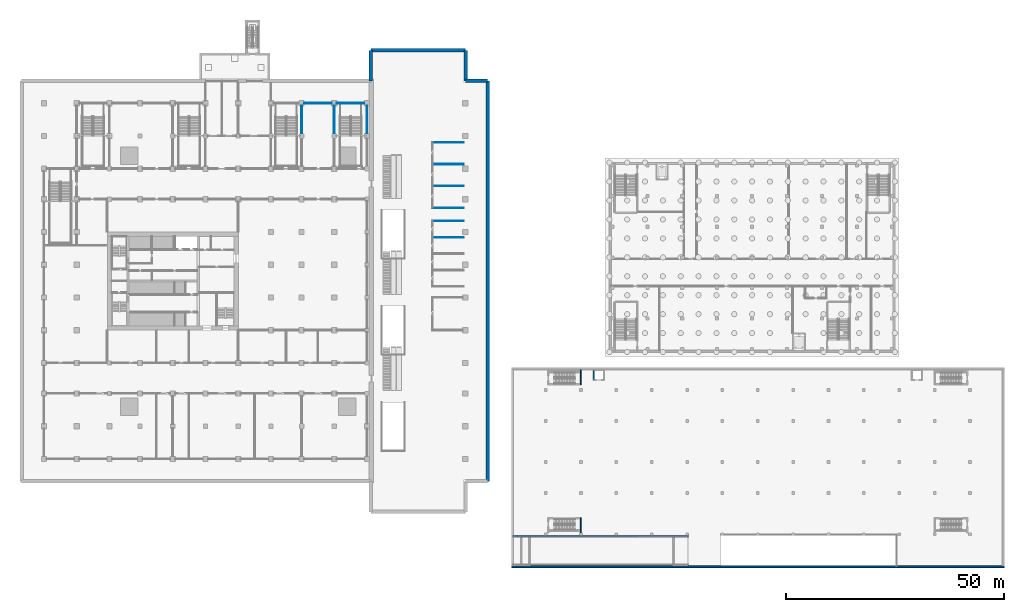
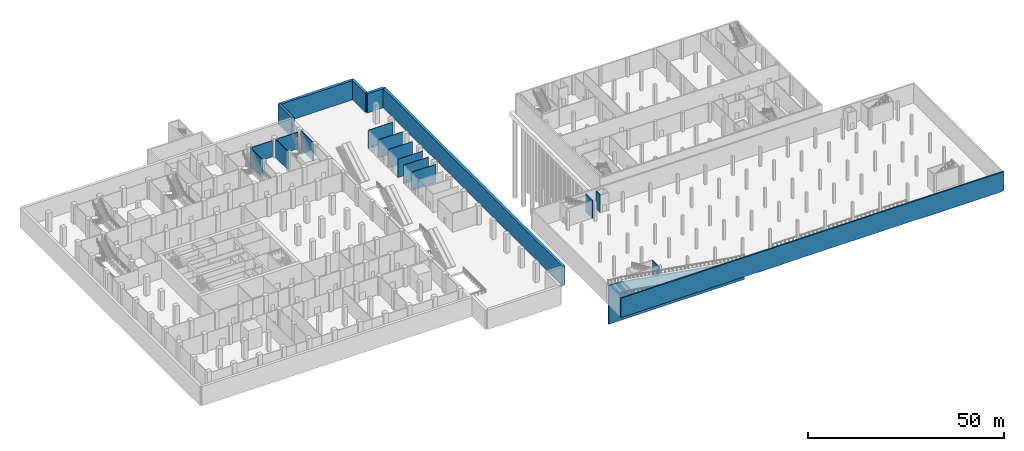
# One storey, part 14 of 45: 21 walls.
"""IFC4 building model written with IfcOpenShell, lengths in metres."""

from ifc_helpers import new_model, si_unit, direction, frame, frame_2d, origin, place, context, subcontext, project, spatial, polyline, rectangle, outline, extrude, material, layer, layer_set, type_object, element, save


model = new_model("IFC4")

# Units and contexts
model_context = context("Model", 3, precision=1e-05, world=origin(), true_north=direction((0.0, 1.0)))
body_context = subcontext(model_context, "Body", "Model", "MODEL_VIEW")
ifc_project = project(units=[si_unit("LENGTHUNIT", "METRE"), si_unit("AREAUNIT", "SQUARE_METRE"), si_unit("VOLUMEUNIT", "CUBIC_METRE"), si_unit("PLANEANGLEUNIT", "RADIAN"), si_unit("MASSUNIT", "GRAM", prefix="KILO")], contexts=[model_context])

# Site, building, storey
site_placement = place(None, origin())
site = spatial("IfcSite", under=ifc_project, at=site_placement, CompositionType="ELEMENT")
building_placement = place(site_placement, origin())
building = spatial("IfcBuilding", under=site, at=building_placement, Name="Tamorin Gate", CompositionType="ELEMENT")
storey_placement = place(building_placement, frame((0.0, 0.0, -6.0)))
storey = spatial("IfcBuildingStorey", under=building, at=storey_placement, Name="B1", CompositionType="ELEMENT", Elevation=-6.0)

# Walls
ifc_material_1 = material(Name="Concrete C40/50", Category="concrete")
ifc_layer_1 = layer(ifc_material_1, 0.39990234375)
ifc_layer_set_1 = layer_set([ifc_layer_1], Name="Car park retaining wall 400 C40/50")
wall_type_1 = type_object("IfcWallType", Name="Car park retaining wall 400 C40/50", PredefinedType="SHEAR", material=ifc_layer_set_1)
wall_1_placement = place(storey_placement, frame((122.60009765625, 5.800048828125, 0.0), z_axis=(0.0, 0.0, 1.0), x_axis=(1.0, 0.0, 0.0)))
element("IfcWall", 1, at=wall_1_placement, inside=storey, type_object=wall_type_1, Name="Retaining wall B1", PredefinedType="SHEAR", context=body_context, shape_type="SweptSolid", body=[
    extrude(rectangle(XDim=112.7998046875, YDim=0.39990234375, at=frame_2d((56.39990234375, 0.0))), origin(), (0.0, 0.0, 1.0), 6.0),
])
ifc_material_2 = material(Name="Concrete masonry C20/25", Category="masonry")
ifc_layer_2 = layer(ifc_material_2, 0.14990234375)
ifc_layer_set_2 = layer_set([ifc_layer_2], Name="Partition 150")
wall_type_2 = type_object("IfcWallType", Name="Partition 150", PredefinedType="PARTITIONING", material=ifc_layer_set_2)
wall_2_placement = place(storey_placement, frame((75.10009765625, 112.0, 0.0), z_axis=(0.0, 0.0, 1.0), x_axis=(1.0, 0.0, 0.0)))
element("IfcWall", 2, at=wall_2_placement, inside=storey, type_object=wall_type_2, Name="Partition 150 B1", PredefinedType="PARTITIONING", context=body_context, shape_type="SweptSolid", body=[
    extrude(rectangle(XDim=6.2998046875, YDim=0.14990234375, at=frame_2d((3.14990234375, 0.0))), origin(), (0.0, 0.0, 1.0), 5.10009765625),
])
wall_3_placement = place(storey_placement, frame((104.574951171875, 81.25, 0.0), z_axis=(0.0, 0.0, 1.0), x_axis=(1.0, 0.0, 0.0)))
element("IfcWall", 3, at=wall_3_placement, inside=storey, type_object=wall_type_2, Name="Partition 150 B1", PredefinedType="PARTITIONING", context=body_context, shape_type="SweptSolid", body=[
    extrude(rectangle(XDim=7.125, YDim=0.14990234375, at=frame_2d((3.5625, 0.0))), origin(), (0.0, 0.0, 1.0), 5.699951171875),
])
for number, where, z_axis, x_axis, name in (
    (4, (104.425048828125, 85.0, 0.0), (0.0, 0.0, 1.0), (1.0, 0.0, 0.0), "Partition 150 B1"),
    (5, (104.425048828125, 88.0, 0.0), (0.0, 0.0, 1.0), (1.0, 0.0, 0.0), "Partition 150 B1"),
):
    element("IfcWall", number, at=place(storey_placement, frame(where, z_axis=z_axis, x_axis=x_axis)), inside=storey, type_object=wall_type_2, Name=name, PredefinedType="PARTITIONING", context=body_context, shape_type="SweptSolid", body=[
        extrude(rectangle(XDim=7.27490234375, YDim=0.14990234375, at=frame_2d((3.637451171875, 0.0))), origin(), (0.0, 0.0, 1.0), 5.699951171875),
    ])
for number, where, z_axis, x_axis, name in (
    (6, (104.574951171875, 93.0, 0.0), (0.0, 0.0, 1.0), (1.0, 0.0, 0.0), "Partition 150 B1"),
    (7, (104.574951171875, 98.0, 0.0), (0.0, 0.0, 1.0), (1.0, 0.0, 0.0), "Partition 150 B1"),
):
    element("IfcWall", number, at=place(storey_placement, frame(where, z_axis=z_axis, x_axis=x_axis)), inside=storey, type_object=wall_type_2, Name=name, PredefinedType="PARTITIONING", context=body_context, shape_type="SweptSolid", body=[
        extrude(rectangle(XDim=7.125, YDim=0.14990234375, at=frame_2d((3.5625, 0.0))), origin(), (0.0, 0.0, 1.0), 5.699951171875),
    ])
wall_4_placement = place(storey_placement, frame((104.425048828125, 103.0, 0.0), z_axis=(0.0, 0.0, 1.0), x_axis=(1.0, 0.0, 0.0)))
element("IfcWall", 8, at=wall_4_placement, inside=storey, type_object=wall_type_2, Name="Partition 150 B1", PredefinedType="PARTITIONING", context=body_context, shape_type="SweptSolid", body=[
    extrude(rectangle(XDim=7.27490234375, YDim=0.14990234375, at=frame_2d((3.637451171875, 0.0))), origin(), (0.0, 0.0, 1.0), 5.699951171875),
])
ifc_layer_3 = layer(ifc_material_1, 0.800048828125)
ifc_layer_set_3 = layer_set([ifc_layer_3], Name="RC basement wall 800 C40/50")
wall_type_3 = type_object("IfcWallType", Name="RC basement wall 800 C40/50", PredefinedType="SHEAR", material=ifc_layer_set_3)
wall_5_placement = place(storey_placement, frame((117.10009765625, 117.10009765625, 0.0), z_axis=(0.0, 0.0, 1.0), x_axis=(0.0, -1.0, 0.0)))
element("IfcWall", 9, at=wall_5_placement, inside=storey, type_object=wall_type_3, Name="Basement wall B1", PredefinedType="SHEAR", context=body_context, shape_type="SweptSolid", body=[
    extrude(rectangle(XDim=91.7001953125, YDim=0.800048828125, at=frame_2d((45.85009765625, 0.0))), origin(), (0.0, 0.0, 1.0), 6.0),
])
wall_6_placement = place(storey_placement, frame((90.39990234375, 117.10009765625, 0.0), z_axis=(0.0, 0.0, 1.0), x_axis=(0.0, 1.0, 0.0)))
element("IfcWall", 10, at=wall_6_placement, inside=storey, type_object=wall_type_3, Name="Basement wall B1", PredefinedType="SHEAR", context=body_context, shape_type="SweptSolid", body=[
    extrude(rectangle(XDim=7.0, YDim=0.800048828125, at=frame_2d((3.5, 0.0))), origin(), (0.0, 0.0, 1.0), 6.0),
])
wall_7_placement = place(storey_placement, frame((90.39990234375, 124.10009765625, 0.0), z_axis=(0.0, 0.0, 1.0), x_axis=(1.0, 0.0, 0.0)))
element("IfcWall", 11, at=wall_7_placement, inside=storey, type_object=wall_type_3, Name="Basement wall B1", PredefinedType="SHEAR", context=body_context, shape_type="SweptSolid", body=[
    extrude(rectangle(XDim=21.7001953125, YDim=0.800048828125, at=frame_2d((10.85009765625, 0.0))), origin(), (0.0, 0.0, 1.0), 6.0),
])
wall_8_placement = place(storey_placement, frame((112.10009765625, 124.10009765625, 0.0), z_axis=(0.0, 0.0, 1.0), x_axis=(0.0, -1.0, 0.0)))
element("IfcWall", 12, at=wall_8_placement, inside=storey, type_object=wall_type_3, Name="Basement wall B1", PredefinedType="SHEAR", context=body_context, shape_type="SweptSolid", body=[
    extrude(rectangle(XDim=7.0, YDim=0.800048828125, at=frame_2d((3.5, 0.0))), origin(), (0.0, 0.0, 1.0), 6.0),
])
wall_9_placement = place(storey_placement, frame((112.10009765625, 117.10009765625, 0.0), z_axis=(0.0, 0.0, 1.0), x_axis=(1.0, 0.0, 0.0)))
element("IfcWall", 13, at=wall_9_placement, inside=storey, type_object=wall_type_3, Name="Basement wall B1", PredefinedType="SHEAR", context=body_context, shape_type="SweptSolid", body=[
    extrude(rectangle(XDim=5.0, YDim=0.800048828125, at=frame_2d((2.5, 0.0))), origin(), (0.0, 0.0, 1.0), 6.0),
])
ifc_layer_4 = layer(ifc_material_1, 0.39990234375)
ifc_layer_set_4 = layer_set([ifc_layer_4], Name="Ramp support wall 400 C40/50")
wall_type_4 = type_object("IfcWallType", Name="Ramp support wall 400 C40/50", PredefinedType="SHEAR", material=ifc_layer_set_4)
wall_10_placement = place(storey_placement, frame((123.050048828125, 12.800048828125, -6.5), z_axis=(0.0, 0.0, 1.0), x_axis=(1.0, 0.0, 0.0)))
element("IfcWall", 14, at=wall_10_placement, inside=storey, type_object=wall_type_4, Name="Ramp support wall", PredefinedType="SHEAR", context=body_context, shape_type="SweptSolid", body=[
    extrude(outline(polyline([(0.0, 0.0), (40.0, 0.0), (40.0, 6.098876953125), (36.501953125, 6.348876953125), (36.501953125, 6.343994140625), (3.882080078125, 11.843994140625), (3.501953125, 11.848876953125), (0.0, 12.098876953125), (0.0, 0.0)])), frame((0.0, 0.199951171875, 0.0), z_axis=(0.0, -1.0, 0.0), x_axis=(1.0, 0.0, 0.0)), (0.0, 0.0, 1.0), 0.39990234375),
])
ifc_layer_5 = layer(ifc_material_1, 0.25)
ifc_layer_set_5 = layer_set([ifc_layer_5], Name="Stair and lift enclosure wall 250 C40/50")
wall_type_5 = type_object("IfcWallType", Name="Stair and lift enclosure wall 250 C40/50", PredefinedType="SHEAR", material=ifc_layer_set_5)
wall_11_placement = place(storey_placement, frame((138.43505859375, 13.60009765625, 0.0), z_axis=(0.0, 0.0, 1.0), x_axis=(0.0, 1.0, 0.0)))
element("IfcWall", 15, at=wall_11_placement, inside=storey, type_object=wall_type_5, Name="Stair SB6 wall", PredefinedType="SHEAR", context=body_context, shape_type="SweptSolid", body=[
    extrude(rectangle(XDim=3.449951171875, YDim=0.25, at=frame_2d((1.72509765625, 0.0))), origin(), (0.0, 0.0, 1.0), 5.5),
])
wall_12_placement = place(storey_placement, frame((138.43505859375, 47.5, 0.0), z_axis=(0.0, 0.0, 1.0), x_axis=(0.0, 1.0, 0.0)))
element("IfcWall", 16, at=wall_12_placement, inside=storey, type_object=wall_type_5, Name="Stair SB7 wall", PredefinedType="SHEAR", context=body_context, shape_type="SweptSolid", body=[
    extrude(rectangle(XDim=3.5, YDim=0.25, at=frame_2d((1.75, 0.0))), origin(), (0.0, 0.0, 1.0), 5.5),
])
wall_13_placement = place(storey_placement, frame((141.425048828125, 48.75, 0.0), z_axis=(0.0, 0.0, 1.0), x_axis=(0.0, 1.0, 0.0)))
element("IfcWall", 17, at=wall_13_placement, inside=storey, type_object=wall_type_5, Name="Lift shaft LP1", PredefinedType="SHEAR", context=body_context, shape_type="SweptSolid", body=[
    extrude(rectangle(XDim=2.0, YDim=0.25, at=frame_2d((1.0, 0.0))), origin(), (0.0, 0.0, 1.0), 5.5),
])
ifc_layer_6 = layer(ifc_material_1, 0.199951171875)
ifc_layer_set_6 = layer_set([ifc_layer_6], Name="Stair enclosure 200")
wall_type_6 = type_object("IfcWallType", Name="Stair enclosure 200", PredefinedType="SHEAR", material=ifc_layer_set_6)
wall_14_placement = place(storey_placement, frame((82.60009765625, 112.0, 0.0), z_axis=(0.0, 0.0, 1.0), x_axis=(1.0, 0.0, 0.0)))
element("IfcWall", 18, at=wall_14_placement, inside=storey, type_object=wall_type_6, Name="Stair enclosure 200 B1", PredefinedType="SHEAR", context=body_context, shape_type="SweptSolid", body=[
    extrude(rectangle(XDim=6.2998046875, YDim=0.199951171875, at=frame_2d((3.14990234375, 0.0))), origin(), (0.0, 0.0, 1.0), 5.10009765625),
])
for number, where, z_axis, x_axis, name in (
    (19, (74.5, 105.0, 0.0), (0.0, 0.0, 1.0), (0.0, 1.0, 0.0), "Stair enclosure 200 B1"),
    (20, (82.0, 105.0, 0.0), (0.0, 0.0, 1.0), (0.0, 1.0, 0.0), "Stair enclosure 200 B1"),
):
    element("IfcWall", number, at=place(storey_placement, frame(where, z_axis=z_axis, x_axis=x_axis)), inside=storey, type_object=wall_type_6, Name=name, PredefinedType="SHEAR", context=body_context, shape_type="SweptSolid", body=[
        extrude(rectangle(XDim=6.39990234375, YDim=0.199951171875, at=frame_2d((3.199951171875, 0.0))), origin(), (0.0, 0.0, 1.0), 5.699951171875),
    ])
wall_15_placement = place(storey_placement, frame((89.5, 105.10009765625, 0.0), z_axis=(0.0, 0.0, 1.0), x_axis=(0.0, 1.0, 0.0)))
element("IfcWall", 21, at=wall_15_placement, inside=storey, type_object=wall_type_6, Name="Stair enclosure 200 B1", PredefinedType="SHEAR", context=body_context, shape_type="SweptSolid", body=[
    extrude(rectangle(XDim=6.2998046875, YDim=0.199951171875, at=frame_2d((3.14990234375, 0.0))), origin(), (0.0, 0.0, 1.0), 5.699951171875),
])

save(model, "model.ifc")
